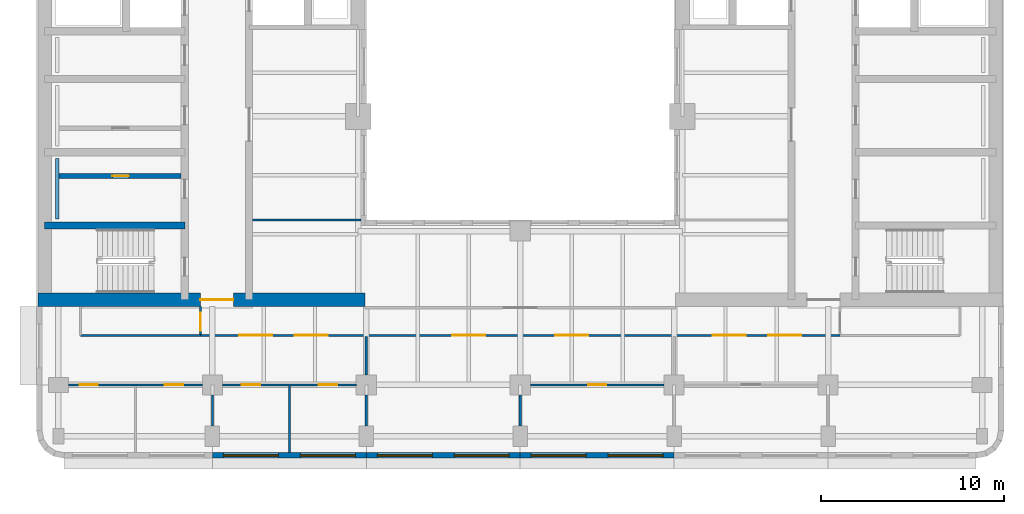
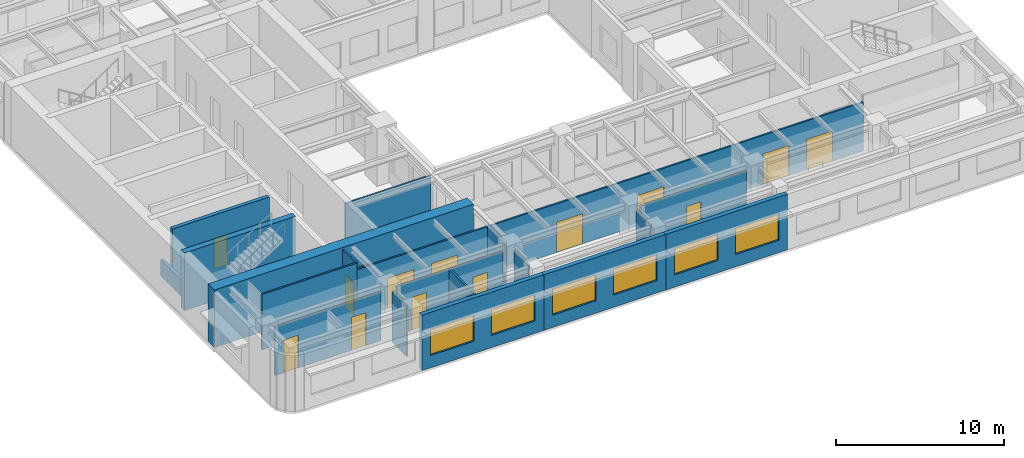
# One storey, part 3 of 11: 19 walls, 14 doors, 6 windows, 20 openings.
"""IFC4 building model written with IfcOpenShell, lengths in metres."""

from ifc_helpers import new_model, si_unit, direction, frame, frame_2d, origin, place, context, subcontext, project, spatial, rectangle, extrude, material, layer, layer_set, type_object, element, fill, save


model = new_model("IFC4")

# Units and contexts
model_context = context("Model", 3, precision=1e-05, world=origin(), true_north=direction((0.0, 1.0)))
body_context = subcontext(model_context, "Body", "Model", "MODEL_VIEW")
ifc_project = project(units=[si_unit("LENGTHUNIT", "METRE"), si_unit("AREAUNIT", "SQUARE_METRE"), si_unit("VOLUMEUNIT", "CUBIC_METRE"), si_unit("PLANEANGLEUNIT", "RADIAN"), si_unit("MASSUNIT", "GRAM", prefix="KILO")], contexts=[model_context])

# Site, building, storey
site_placement = place(None, origin())
site = spatial("IfcSite", under=ifc_project, at=site_placement, CompositionType="ELEMENT")
building_placement = place(site_placement, origin())
building = spatial("IfcBuilding", under=site, at=building_placement, Name="Claustro Exchange Tower", CompositionType="ELEMENT")
storey_placement = place(building_placement, frame((0.0, 0.0, 207.0)))
storey = spatial("IfcBuildingStorey", under=building, at=storey_placement, Name="L47", CompositionType="ELEMENT", Elevation=207.0)

# Wall
ifc_material_1 = material(Name="Laminated glass in aluminium frame", Category="aluminium")
ifc_layer_1 = layer(ifc_material_1, 0.1201171875)
ifc_layer_set_1 = layer_set([ifc_layer_1], Name="Laminated glass in aluminium frame")
wall_type_1 = type_object("IfcWallType", Name="P2 120 glazed partition", PredefinedType="PARTITIONING", material=ifc_layer_set_1)
wall_1_placement = place(storey_placement, frame((10.597900390625, 17.39990234375, 0.0), z_axis=(0.0, 0.0, 1.0), x_axis=(1.0, 0.0, 0.0)))
element("IfcWall", 1, at=wall_1_placement, inside=storey, type_object=wall_type_1, Name="Partition P2 L47", PredefinedType="PARTITIONING", context=body_context, shape_type="SweptSolid", body=[
    extrude(rectangle(XDim=5.904052734375, YDim=0.1201171875, at=frame_2d((2.9521484375, 0.0))), origin(), (0.0, 0.0, 1.0), 3.550048828125),
])

# Wall, openings, doors
wall_2_placement = place(storey_placement, frame((0.549072265625, 8.39990234375, 0.0), z_axis=(0.0, 0.0, 1.0), x_axis=(1.0, 0.0, 0.0)))
wall_2 = element("IfcWall", 2, at=wall_2_placement, inside=storey, type_object=wall_type_1, Name="Partition P2 L47", PredefinedType="PARTITIONING", context=body_context, shape_type="SweptSolid", body=[
    extrude(rectangle(XDim=7.302001953125, YDim=0.1201171875, at=frame_2d((3.65087890625, 0.0))), origin(), (0.0, 0.0, 1.0), 3.550048828125),
])
opening_1_placement = place(wall_2_placement, frame((0.60107421875, 0.0, 0.0)))
opening_1 = element("IfcOpeningElement", 3, at=opening_1_placement, cuts=wall_2, Name="Opening D7", PredefinedType="OPENING", context=body_context, shape_type="SweptSolid", body=[
    extrude(rectangle(XDim=1.0, YDim=2.39990234375, at=frame_2d((0.5, 1.199951171875))), frame((0.0, 0.070068359375, 0.0), z_axis=(0.0, -1.0, 0.0), x_axis=(1.0, 0.0, 0.0)), (0.0, 0.0, 1.0), 0.14013671875),
])
opening_2_placement = place(wall_2_placement, frame((5.2509765625, 0.0, 0.0)))
opening_2 = element("IfcOpeningElement", 4, at=opening_2_placement, cuts=wall_2, Name="Opening D7", PredefinedType="OPENING", context=body_context, shape_type="SweptSolid", body=[
    extrude(rectangle(XDim=1.0, YDim=2.39990234375, at=frame_2d((0.5, 1.199951171875))), frame((0.0, 0.070068359375, 0.0), z_axis=(0.0, -1.0, 0.0), x_axis=(1.0, 0.0, 0.0)), (0.0, 0.0, 1.0), 0.14013671875),
])
ifc_material_2 = material(Name="Glass door in aluminium frame", Category="aluminium")
door_type_1 = type_object("IfcDoorType", Name="D7 1000 x 2400 glazed door", OperationType="SINGLE_SWING_LEFT", PredefinedType="DOOR", material=ifc_material_2)
door_1_placement = place(opening_1_placement, frame((1.0, 0.0, 0.0), z_axis=(0.0, 0.0, 1.0), x_axis=(-1.0, 0.0, 0.0)))
door_1 = element("IfcDoor", 5, at=door_1_placement, inside=storey, type_object=door_type_1, Name="Door D7 L47", OperationType="SINGLE_SWING_LEFT", OverallHeight=2.39990234375, OverallWidth=1.0, PredefinedType="DOOR", context=body_context, shape_type="SweptSolid", body=[
    extrude(rectangle(XDim=1.0, YDim=2.39990234375, at=frame_2d((0.5, 1.199951171875))), frame((0.0, 0.02490234375, 0.0), z_axis=(0.0, -1.0, 0.0), x_axis=(1.0, 0.0, 0.0)), (0.0, 0.0, 1.0), 0.050048828125),
])
fill(opening_1, door_1)
door_2_placement = place(opening_2_placement, frame((1.0, 0.0, 0.0), z_axis=(0.0, 0.0, 1.0), x_axis=(-1.0, 0.0, 0.0)))
door_2 = element("IfcDoor", 6, at=door_2_placement, inside=storey, type_object=door_type_1, Name="Door D7 L47", OperationType="SINGLE_SWING_LEFT", OverallHeight=2.39990234375, OverallWidth=1.0, PredefinedType="DOOR", context=body_context, shape_type="SweptSolid", body=[
    extrude(rectangle(XDim=1.0, YDim=2.39990234375, at=frame_2d((0.5, 1.199951171875))), frame((0.0, 0.02490234375, 0.0), z_axis=(0.0, -1.0, 0.0), x_axis=(1.0, 0.0, 0.0)), (0.0, 0.0, 1.0), 0.050048828125),
])
fill(opening_2, door_2)

wall_3_placement = place(storey_placement, frame((8.948974609375, 8.39990234375, 0.0), z_axis=(0.0, 0.0, 1.0), x_axis=(1.0, 0.0, 0.0)))
wall_3 = element("IfcWall", 7, at=wall_3_placement, inside=storey, type_object=wall_type_1, Name="Partition P2 L47", PredefinedType="PARTITIONING", context=body_context, shape_type="SweptSolid", body=[
    extrude(rectangle(XDim=7.302001953125, YDim=0.1201171875, at=frame_2d((3.65087890625, 0.0))), origin(), (0.0, 0.0, 1.0), 3.550048828125),
])
opening_3_placement = place(wall_3_placement, frame((1.051025390625, 0.0, 0.0)))
opening_3 = element("IfcOpeningElement", 8, at=opening_3_placement, cuts=wall_3, Name="Opening D7", PredefinedType="OPENING", context=body_context, shape_type="SweptSolid", body=[
    extrude(rectangle(XDim=1.0, YDim=2.39990234375, at=frame_2d((0.5, 1.199951171875))), frame((0.0, 0.070068359375, 0.0), z_axis=(0.0, -1.0, 0.0), x_axis=(1.0, 0.0, 0.0)), (0.0, 0.0, 1.0), 0.14013671875),
])
opening_4_placement = place(wall_3_placement, frame((5.2509765625, 0.0, 0.0)))
opening_4 = element("IfcOpeningElement", 9, at=opening_4_placement, cuts=wall_3, Name="Opening D7", PredefinedType="OPENING", context=body_context, shape_type="SweptSolid", body=[
    extrude(rectangle(XDim=1.0, YDim=2.39990234375, at=frame_2d((0.5, 1.199951171875))), frame((0.0, 0.070068359375, 0.0), z_axis=(0.0, -1.0, 0.0), x_axis=(1.0, 0.0, 0.0)), (0.0, 0.0, 1.0), 0.14013671875),
])
door_3_placement = place(opening_3_placement, frame((1.0, 0.0, 0.0), z_axis=(0.0, 0.0, 1.0), x_axis=(-1.0, 0.0, 0.0)))
door_3 = element("IfcDoor", 10, at=door_3_placement, inside=storey, type_object=door_type_1, Name="Door D7 L47", OperationType="SINGLE_SWING_RIGHT", OverallHeight=2.39990234375, OverallWidth=1.0, PredefinedType="DOOR", context=body_context, shape_type="SweptSolid", body=[
    extrude(rectangle(XDim=1.0, YDim=2.39990234375, at=frame_2d((0.5, 1.199951171875))), frame((0.0, 0.02490234375, 0.0), z_axis=(0.0, -1.0, 0.0), x_axis=(1.0, 0.0, 0.0)), (0.0, 0.0, 1.0), 0.050048828125),
])
fill(opening_3, door_3)
door_4_placement = place(opening_4_placement, frame((1.0, 0.0, 0.0), z_axis=(0.0, 0.0, 1.0), x_axis=(-1.0, 0.0, 0.0)))
door_4 = element("IfcDoor", 11, at=door_4_placement, inside=storey, type_object=door_type_1, Name="Door D7 L47", OperationType="SINGLE_SWING_RIGHT", OverallHeight=2.39990234375, OverallWidth=1.0, PredefinedType="DOOR", context=body_context, shape_type="SweptSolid", body=[
    extrude(rectangle(XDim=1.0, YDim=2.39990234375, at=frame_2d((0.5, 1.199951171875))), frame((0.0, 0.02490234375, 0.0), z_axis=(0.0, -1.0, 0.0), x_axis=(1.0, 0.0, 0.0)), (0.0, 0.0, 1.0), 0.050048828125),
])
fill(opening_4, door_4)

# Walls
wall_4_placement = place(storey_placement, frame((8.39990234375, 6.14892578125, 0.0), z_axis=(0.0, 0.0, 1.0), x_axis=(0.0, 1.0, 0.0)))
element("IfcWall", 12, at=wall_4_placement, inside=storey, type_object=wall_type_1, Name="Partition P2 L47", PredefinedType="PARTITIONING", context=body_context, shape_type="SweptSolid", body=[
    extrude(rectangle(XDim=1.7021484375, YDim=0.1201171875, at=frame_2d((0.85107421875, 0.0))), origin(), (0.0, 0.0, 1.0), 3.68994140625),
])
wall_5_placement = place(storey_placement, frame((12.60009765625, 4.699951171875, 0.0), z_axis=(0.0, 0.0, 1.0), x_axis=(0.0, 1.0, 0.0)))
element("IfcWall", 13, at=wall_5_placement, inside=storey, type_object=wall_type_1, Name="Partition P2 L47", PredefinedType="PARTITIONING", context=body_context, shape_type="SweptSolid", body=[
    extrude(rectangle(XDim=3.64208984375, YDim=0.1201171875, at=frame_2d((1.821044921875, 0.0))), origin(), (0.0, 0.0, 1.0), 3.550048828125),
])
wall_6_placement = place(storey_placement, frame((16.800048828125, 6.14892578125, 0.0), z_axis=(0.0, 0.0, 1.0), x_axis=(0.0, 1.0, 0.0)))
element("IfcWall", 14, at=wall_6_placement, inside=storey, type_object=wall_type_1, Name="Partition P2 L47", PredefinedType="PARTITIONING", context=body_context, shape_type="SweptSolid", body=[
    extrude(rectangle(XDim=1.7021484375, YDim=0.1201171875, at=frame_2d((0.85107421875, 0.0))), origin(), (0.0, 0.0, 1.0), 3.68994140625),
])

# Wall, opening, door
wall_7_placement = place(storey_placement, frame((25.7490234375, 8.39990234375, 0.0), z_axis=(0.0, 0.0, 1.0), x_axis=(1.0, 0.0, 0.0)))
wall_7 = element("IfcWall", 15, at=wall_7_placement, inside=storey, type_object=wall_type_1, Name="Partition P2 L47", PredefinedType="PARTITIONING", context=body_context, shape_type="SweptSolid", body=[
    extrude(rectangle(XDim=7.302001953125, YDim=0.1201171875, at=frame_2d((3.65087890625, 0.0))), origin(), (0.0, 0.0, 1.0), 3.550048828125),
])
opening_5_placement = place(wall_7_placement, frame((3.15087890625, 0.0, 0.0)))
opening_5 = element("IfcOpeningElement", 16, at=opening_5_placement, cuts=wall_7, Name="Opening D7", PredefinedType="OPENING", context=body_context, shape_type="SweptSolid", body=[
    extrude(rectangle(XDim=1.0, YDim=2.39990234375, at=frame_2d((0.5, 1.199951171875))), frame((0.0, 0.070068359375, 0.0), z_axis=(0.0, -1.0, 0.0), x_axis=(1.0, 0.0, 0.0)), (0.0, 0.0, 1.0), 0.14013671875),
])
door_5_placement = place(opening_5_placement, frame((1.0, 0.0, 0.0), z_axis=(0.0, 0.0, 1.0), x_axis=(-1.0, 0.0, 0.0)))
door_5 = element("IfcDoor", 17, at=door_5_placement, inside=storey, type_object=door_type_1, Name="Door D7 L47", OperationType="SINGLE_SWING_RIGHT", OverallHeight=2.39990234375, OverallWidth=1.0, PredefinedType="DOOR", context=body_context, shape_type="SweptSolid", body=[
    extrude(rectangle(XDim=1.0, YDim=2.39990234375, at=frame_2d((0.5, 1.199951171875))), frame((0.0, 0.02490234375, 0.0), z_axis=(0.0, -1.0, 0.0), x_axis=(1.0, 0.0, 0.0)), (0.0, 0.0, 1.0), 0.050048828125),
])
fill(opening_5, door_5)

# Walls
wall_8_placement = place(storey_placement, frame((25.199951171875, 6.14892578125, 0.0), z_axis=(0.0, 0.0, 1.0), x_axis=(0.0, 1.0, 0.0)))
element("IfcWall", 18, at=wall_8_placement, inside=storey, type_object=wall_type_1, Name="Partition P2 L47", PredefinedType="PARTITIONING", context=body_context, shape_type="SweptSolid", body=[
    extrude(rectangle(XDim=1.7021484375, YDim=0.1201171875, at=frame_2d((0.85107421875, 0.0))), origin(), (0.0, 0.0, 1.0), 3.68994140625),
])
wall_9_placement = place(storey_placement, frame((16.800048828125, 8.948974609375, 0.0), z_axis=(0.0, 0.0, 1.0), x_axis=(0.0, 1.0, 0.0)))
element("IfcWall", 19, at=wall_9_placement, inside=storey, type_object=wall_type_1, Name="Partition P2 L47", PredefinedType="PARTITIONING", context=body_context, shape_type="SweptSolid", body=[
    extrude(rectangle(XDim=2.093017578125, YDim=0.1201171875, at=frame_2d((1.04638671875, 0.0))), origin(), (0.0, 0.0, 1.0), 3.68994140625),
])

# Wall, openings, doors
wall_10_placement = place(storey_placement, frame((7.748046875, 11.10009765625, 0.0), z_axis=(0.0, 0.0, 1.0), x_axis=(1.0, 0.0, 0.0)))
wall_10 = element("IfcWall", 20, at=wall_10_placement, inside=storey, type_object=wall_type_1, Name="Partition P2 L47", PredefinedType="PARTITIONING", context=body_context, shape_type="SweptSolid", body=[
    extrude(rectangle(XDim=34.904052734375, YDim=0.1201171875, at=frame_2d((17.4521484375, 0.0))), origin(), (0.0, 0.0, 1.0), 3.550048828125),
])
opening_6_placement = place(wall_10_placement, frame((2.11865234375, 0.0, 0.0)))
opening_6 = element("IfcOpeningElement", 21, at=opening_6_placement, cuts=wall_10, Name="Opening D2", PredefinedType="OPENING", context=body_context, shape_type="SweptSolid", body=[
    extrude(rectangle(XDim=1.800048828125, YDim=2.199951171875, at=frame_2d((0.89990234375, 1.10009765625))), frame((0.0, 0.070068359375, 0.0), z_axis=(0.0, -1.0, 0.0), x_axis=(1.0, 0.0, 0.0)), (0.0, 0.0, 1.0), 0.14013671875),
])
opening_7_placement = place(wall_10_placement, frame((5.13525390625, 0.0, 0.0)))
opening_7 = element("IfcOpeningElement", 22, at=opening_7_placement, cuts=wall_10, Name="Opening D2", PredefinedType="OPENING", context=body_context, shape_type="SweptSolid", body=[
    extrude(rectangle(XDim=1.800048828125, YDim=2.199951171875, at=frame_2d((0.89990234375, 1.10009765625))), frame((0.0, 0.070068359375, 0.0), z_axis=(0.0, -1.0, 0.0), x_axis=(1.0, 0.0, 0.0)), (0.0, 0.0, 1.0), 0.14013671875),
])
opening_8_placement = place(wall_10_placement, frame((13.751953125, 0.0, 0.0)))
opening_8 = element("IfcOpeningElement", 23, at=opening_8_placement, cuts=wall_10, Name="Opening D2", PredefinedType="OPENING", context=body_context, shape_type="SweptSolid", body=[
    extrude(rectangle(XDim=1.800048828125, YDim=2.199951171875, at=frame_2d((0.89990234375, 1.10009765625))), frame((0.0, 0.070068359375, 0.0), z_axis=(0.0, -1.0, 0.0), x_axis=(1.0, 0.0, 0.0)), (0.0, 0.0, 1.0), 0.14013671875),
])
opening_9_placement = place(wall_10_placement, frame((19.35205078125, 0.0, 0.0)))
opening_9 = element("IfcOpeningElement", 24, at=opening_9_placement, cuts=wall_10, Name="Opening D2", PredefinedType="OPENING", context=body_context, shape_type="SweptSolid", body=[
    extrude(rectangle(XDim=1.800048828125, YDim=2.199951171875, at=frame_2d((0.89990234375, 1.10009765625))), frame((0.0, 0.070068359375, 0.0), z_axis=(0.0, -1.0, 0.0), x_axis=(1.0, 0.0, 0.0)), (0.0, 0.0, 1.0), 0.14013671875),
])
opening_10_placement = place(wall_10_placement, frame((27.96875, 0.0, 0.0)))
opening_10 = element("IfcOpeningElement", 25, at=opening_10_placement, cuts=wall_10, Name="Opening D2", PredefinedType="OPENING", context=body_context, shape_type="SweptSolid", body=[
    extrude(rectangle(XDim=1.800048828125, YDim=2.199951171875, at=frame_2d((0.89990234375, 1.10009765625))), frame((0.0, 0.070068359375, 0.0), z_axis=(0.0, -1.0, 0.0), x_axis=(1.0, 0.0, 0.0)), (0.0, 0.0, 1.0), 0.14013671875),
])
opening_11_placement = place(wall_10_placement, frame((30.9853515625, 0.0, 0.0)))
opening_11 = element("IfcOpeningElement", 26, at=opening_11_placement, cuts=wall_10, Name="Opening D2", PredefinedType="OPENING", context=body_context, shape_type="SweptSolid", body=[
    extrude(rectangle(XDim=1.800048828125, YDim=2.199951171875, at=frame_2d((0.89990234375, 1.10009765625))), frame((0.0, 0.070068359375, 0.0), z_axis=(0.0, -1.0, 0.0), x_axis=(1.0, 0.0, 0.0)), (0.0, 0.0, 1.0), 0.14013671875),
])
ifc_material_3 = material(Name="Timber door, oak veneer", Category="wood")
door_type_2 = type_object("IfcDoorType", Name="D2 1800 x 2200 double door", OperationType="DOUBLE_DOOR_SINGLE_SWING", PredefinedType="DOOR", material=ifc_material_3)
door_6_placement = place(opening_6_placement, frame((1.800048828125, 0.0, 0.0), z_axis=(0.0, 0.0, 1.0), x_axis=(-1.0, 0.0, 0.0)))
door_6 = element("IfcDoor", 27, at=door_6_placement, inside=storey, type_object=door_type_2, Name="Double door D2 L47", OperationType="DOUBLE_DOOR_SINGLE_SWING", OverallHeight=2.199951171875, OverallWidth=1.800048828125, PredefinedType="DOOR", context=body_context, shape_type="SweptSolid", body=[
    extrude(rectangle(XDim=1.800048828125, YDim=2.199951171875, at=frame_2d((0.89990234375, 1.10009765625))), frame((0.0, 0.02490234375, 0.0), z_axis=(0.0, -1.0, 0.0), x_axis=(1.0, 0.0, 0.0)), (0.0, 0.0, 1.0), 0.050048828125),
])
fill(opening_6, door_6)
door_7_placement = place(opening_7_placement, frame((1.800048828125, 0.0, 0.0), z_axis=(0.0, 0.0, 1.0), x_axis=(-1.0, 0.0, 0.0)))
door_7 = element("IfcDoor", 28, at=door_7_placement, inside=storey, type_object=door_type_2, Name="Double door D2 L47", OperationType="DOUBLE_DOOR_SINGLE_SWING", OverallHeight=2.199951171875, OverallWidth=1.800048828125, PredefinedType="DOOR", context=body_context, shape_type="SweptSolid", body=[
    extrude(rectangle(XDim=1.800048828125, YDim=2.199951171875, at=frame_2d((0.89990234375, 1.10009765625))), frame((0.0, 0.02490234375, 0.0), z_axis=(0.0, -1.0, 0.0), x_axis=(1.0, 0.0, 0.0)), (0.0, 0.0, 1.0), 0.050048828125),
])
fill(opening_7, door_7)
door_8_placement = place(opening_8_placement, frame((1.800048828125, 0.0, 0.0), z_axis=(0.0, 0.0, 1.0), x_axis=(-1.0, 0.0, 0.0)))
door_8 = element("IfcDoor", 29, at=door_8_placement, inside=storey, type_object=door_type_2, Name="Double door D2 L47", OperationType="DOUBLE_DOOR_SINGLE_SWING", OverallHeight=2.199951171875, OverallWidth=1.800048828125, PredefinedType="DOOR", context=body_context, shape_type="SweptSolid", body=[
    extrude(rectangle(XDim=1.800048828125, YDim=2.199951171875, at=frame_2d((0.89990234375, 1.10009765625))), frame((0.0, 0.02490234375, 0.0), z_axis=(0.0, -1.0, 0.0), x_axis=(1.0, 0.0, 0.0)), (0.0, 0.0, 1.0), 0.050048828125),
])
fill(opening_8, door_8)
door_9_placement = place(opening_9_placement, frame((1.800048828125, 0.0, 0.0), z_axis=(0.0, 0.0, 1.0), x_axis=(-1.0, 0.0, 0.0)))
door_9 = element("IfcDoor", 30, at=door_9_placement, inside=storey, type_object=door_type_2, Name="Double door D2 L47", OperationType="DOUBLE_DOOR_SINGLE_SWING", OverallHeight=2.199951171875, OverallWidth=1.800048828125, PredefinedType="DOOR", context=body_context, shape_type="SweptSolid", body=[
    extrude(rectangle(XDim=1.800048828125, YDim=2.199951171875, at=frame_2d((0.89990234375, 1.10009765625))), frame((0.0, 0.02490234375, 0.0), z_axis=(0.0, -1.0, 0.0), x_axis=(1.0, 0.0, 0.0)), (0.0, 0.0, 1.0), 0.050048828125),
])
fill(opening_9, door_9)
door_10_placement = place(opening_10_placement, frame((1.800048828125, 0.0, 0.0), z_axis=(0.0, 0.0, 1.0), x_axis=(-1.0, 0.0, 0.0)))
door_10 = element("IfcDoor", 31, at=door_10_placement, inside=storey, type_object=door_type_2, Name="Double door D2 L47", OperationType="DOUBLE_DOOR_SINGLE_SWING", OverallHeight=2.199951171875, OverallWidth=1.800048828125, PredefinedType="DOOR", context=body_context, shape_type="SweptSolid", body=[
    extrude(rectangle(XDim=1.800048828125, YDim=2.199951171875, at=frame_2d((0.89990234375, 1.10009765625))), frame((0.0, 0.02490234375, 0.0), z_axis=(0.0, -1.0, 0.0), x_axis=(1.0, 0.0, 0.0)), (0.0, 0.0, 1.0), 0.050048828125),
])
fill(opening_10, door_10)
door_11_placement = place(opening_11_placement, frame((1.800048828125, 0.0, 0.0), z_axis=(0.0, 0.0, 1.0), x_axis=(-1.0, 0.0, 0.0)))
door_11 = element("IfcDoor", 32, at=door_11_placement, inside=storey, type_object=door_type_2, Name="Double door D2 L47", OperationType="DOUBLE_DOOR_SINGLE_SWING", OverallHeight=2.199951171875, OverallWidth=1.800048828125, PredefinedType="DOOR", context=body_context, shape_type="SweptSolid", body=[
    extrude(rectangle(XDim=1.800048828125, YDim=2.199951171875, at=frame_2d((0.89990234375, 1.10009765625))), frame((0.0, 0.02490234375, 0.0), z_axis=(0.0, -1.0, 0.0), x_axis=(1.0, 0.0, 0.0)), (0.0, 0.0, 1.0), 0.050048828125),
])
fill(opening_11, door_11)

# Wall, opening, door
wall_11_placement = place(storey_placement, frame((7.75, 11.157958984375, 0.0), z_axis=(0.0, 0.0, 1.0), x_axis=(0.0, 1.0, 0.0)))
wall_11 = element("IfcWall", 33, at=wall_11_placement, inside=storey, type_object=wall_type_1, Name="Partition P2 L47", PredefinedType="PARTITIONING", context=body_context, shape_type="SweptSolid", body=[
    extrude(rectangle(XDim=1.51806640625, YDim=0.1201171875, at=frame_2d((0.759033203125, 0.0))), origin(), (0.0, 0.0, 1.0), 4.050048828125),
])
opening_12_placement = place(wall_11_placement, frame((0.19189453125, 0.0, 0.0)))
opening_12 = element("IfcOpeningElement", 34, at=opening_12_placement, cuts=wall_11, Name="Opening D7", PredefinedType="OPENING", context=body_context, shape_type="SweptSolid", body=[
    extrude(rectangle(XDim=1.0, YDim=2.39990234375, at=frame_2d((0.5, 1.199951171875))), frame((0.0, 0.070068359375, 0.0), z_axis=(0.0, -1.0, 0.0), x_axis=(1.0, 0.0, 0.0)), (0.0, 0.0, 1.0), 0.14013671875),
])
door_12_placement = place(opening_12_placement, origin())
door_12 = element("IfcDoor", 35, at=door_12_placement, inside=storey, type_object=door_type_1, Name="Door D7 L47", OperationType="SINGLE_SWING_LEFT", OverallHeight=2.39990234375, OverallWidth=1.0, PredefinedType="DOOR", context=body_context, shape_type="SweptSolid", body=[
    extrude(rectangle(XDim=1.0, YDim=2.39990234375, at=frame_2d((0.5, 1.199951171875))), frame((0.0, 0.02490234375, 0.0), z_axis=(0.0, -1.0, 0.0), x_axis=(1.0, 0.0, 0.0)), (0.0, 0.0, 1.0), 0.050048828125),
])
fill(opening_12, door_12)

# Wall
wall_12_placement = place(storey_placement, frame((1.199951171875, 11.10009765625, 0.0), z_axis=(0.0, 0.0, 1.0), x_axis=(1.0, 0.0, 0.0)))
element("IfcWall", 36, at=wall_12_placement, inside=storey, type_object=wall_type_1, Name="Partition P2 L47", PredefinedType="PARTITIONING", context=body_context, shape_type="SweptSolid", body=[
    extrude(rectangle(XDim=6.552001953125, YDim=0.1201171875, at=frame_2d((3.27587890625, 0.0))), origin(), (0.0, 0.0, 1.0), 4.050048828125),
])

# Wall, opening, door
ifc_material_4 = material(Name="Concrete blockwork, rendered", Category="masonry")
ifc_layer_2 = layer(ifc_material_4, 0.25)
ifc_layer_set_2 = layer_set([ifc_layer_2], Name="Concrete blockwork, rendered")
wall_type_2 = type_object("IfcWallType", Name="P4 250 blockwork wall", PredefinedType="PARTITIONING", material=ifc_layer_set_2)
wall_13_placement = place(storey_placement, frame((0.02490234375, 19.800048828125, 0.0), z_axis=(0.0, 0.0, 1.0), x_axis=(1.0, 0.0, 0.0)))
wall_13 = element("IfcWall", 37, at=wall_13_placement, inside=storey, type_object=wall_type_2, Name="Partition P4 L47", PredefinedType="PARTITIONING", context=body_context, shape_type="SweptSolid", body=[
    extrude(rectangle(XDim=6.675048828125, YDim=0.25, at=frame_2d((3.33740234375, 0.0))), origin(), (0.0, 0.0, 1.0), 4.0),
])
opening_13_placement = place(wall_13_placement, frame((2.91259765625, 0.0, 0.0)))
opening_13 = element("IfcOpeningElement", 38, at=opening_13_placement, cuts=wall_13, Name="Opening D5", PredefinedType="OPENING", context=body_context, shape_type="SweptSolid", body=[
    extrude(rectangle(XDim=0.89990234375, YDim=2.199951171875, at=frame_2d((0.449951171875, 1.10009765625))), frame((0.0, 0.135009765625, 0.0), z_axis=(0.0, -1.0, 0.0), x_axis=(1.0, 0.0, 0.0)), (0.0, 0.0, 1.0), 0.27001953125),
])
ifc_material_5 = material(Name="Steel door, painted", Category="steel")
door_type_3 = type_object("IfcDoorType", Name="D5 900 x 2200 store door", OperationType="SINGLE_SWING_LEFT", PredefinedType="DOOR", material=ifc_material_5)
door_13_placement = place(opening_13_placement, origin())
door_13 = element("IfcDoor", 39, at=door_13_placement, inside=storey, type_object=door_type_3, Name="Store door D5 L47", OperationType="SINGLE_SWING_RIGHT", OverallHeight=2.199951171875, OverallWidth=0.89990234375, PredefinedType="DOOR", context=body_context, shape_type="SweptSolid", body=[
    extrude(rectangle(XDim=0.89990234375, YDim=2.199951171875, at=frame_2d((0.449951171875, 1.10009765625))), frame((0.0, 0.02490234375, 0.0), z_axis=(0.0, -1.0, 0.0), x_axis=(1.0, 0.0, 0.0)), (0.0, 0.0, 1.0), 0.050048828125),
])
fill(opening_13, door_13)

# Wall, openings, windows
ifc_material_6 = material(Name="Concrete HA-40 (C40/50), precast, white cement, acid-etched", Category="concrete")
ifc_layer_3 = layer(ifc_material_6, 0.300048828125)
ifc_layer_set_3 = layer_set([ifc_layer_3], Name="Concrete HA-40 (C40/50), precast, white cement, acid-etched")
wall_type_3 = type_object("IfcWallType", Name="PC1 300 precast concrete pier panel", PredefinedType="SOLIDWALL", material=ifc_layer_set_3)
wall_14_placement = place(storey_placement, frame((33.60009765625, 4.550048828125, 0.0), z_axis=(0.0, 0.0, 1.0), x_axis=(-1.0, 0.0, 0.0)))
wall_14 = element("IfcWall", 40, at=wall_14_placement, inside=storey, type_object=wall_type_3, Name="Precast pier panel PC1 L47", PredefinedType="SOLIDWALL", context=body_context, shape_type="SweptSolid", body=[
    extrude(rectangle(XDim=8.400146484375, YDim=0.300048828125, at=frame_2d((4.2001953125, 0.0))), origin(), (0.0, 0.0, 1.0), 4.050048828125),
])
opening_14_placement = place(wall_14_placement, frame((0.60009765625, 0.0, 0.89990234375)))
opening_14 = element("IfcOpeningElement", 41, at=opening_14_placement, cuts=wall_14, Name="Opening W1", PredefinedType="OPENING", context=body_context, shape_type="SweptSolid", body=[
    extrude(rectangle(XDim=3.0, YDim=1.89990234375, at=frame_2d((1.5, 0.949951171875))), frame((0.0, 0.159912109375, 0.0), z_axis=(0.0, -1.0, 0.0), x_axis=(1.0, 0.0, 0.0)), (0.0, 0.0, 1.0), 0.320068359375),
])
opening_15_placement = place(wall_14_placement, frame((4.800048828125, 0.0, 0.89990234375)))
opening_15 = element("IfcOpeningElement", 42, at=opening_15_placement, cuts=wall_14, Name="Opening W1", PredefinedType="OPENING", context=body_context, shape_type="SweptSolid", body=[
    extrude(rectangle(XDim=3.0, YDim=1.89990234375, at=frame_2d((1.5, 0.949951171875))), frame((0.0, 0.159912109375, 0.0), z_axis=(0.0, -1.0, 0.0), x_axis=(1.0, 0.0, 0.0)), (0.0, 0.0, 1.0), 0.320068359375),
])
ifc_material_7 = material(Name="Aluminium frame, clear double glazing", Category="aluminium")
window_type = type_object("IfcWindowType", Name="W1 3000 x 1900 window", PartitioningType="SINGLE_PANEL", PredefinedType="WINDOW", material=ifc_material_7)
window_1_placement = place(opening_14_placement, origin())
window_1 = element("IfcWindow", 43, at=window_1_placement, inside=storey, type_object=window_type, Name="Window W1 L47", OverallHeight=1.89990234375, OverallWidth=3.0, PartitioningType="SINGLE_PANEL", PredefinedType="WINDOW", context=body_context, shape_type="SweptSolid", body=[
    extrude(rectangle(XDim=3.0, YDim=1.89990234375, at=frame_2d((1.5, 0.949951171875))), frame((0.0, 0.030029296875, 0.0), z_axis=(0.0, -1.0, 0.0), x_axis=(1.0, 0.0, 0.0)), (0.0, 0.0, 1.0), 0.06005859375),
])
fill(opening_14, window_1)
window_2_placement = place(opening_15_placement, origin())
window_2 = element("IfcWindow", 44, at=window_2_placement, inside=storey, type_object=window_type, Name="Window W1 L47", OverallHeight=1.89990234375, OverallWidth=3.0, PartitioningType="SINGLE_PANEL", PredefinedType="WINDOW", context=body_context, shape_type="SweptSolid", body=[
    extrude(rectangle(XDim=3.0, YDim=1.89990234375, at=frame_2d((1.5, 0.949951171875))), frame((0.0, 0.030029296875, 0.0), z_axis=(0.0, -1.0, 0.0), x_axis=(1.0, 0.0, 0.0)), (0.0, 0.0, 1.0), 0.06005859375),
])
fill(opening_15, window_2)

wall_15_placement = place(storey_placement, frame((25.199951171875, 4.550048828125, 0.0), z_axis=(0.0, 0.0, 1.0), x_axis=(-1.0, 0.0, 0.0)))
wall_15 = element("IfcWall", 45, at=wall_15_placement, inside=storey, type_object=wall_type_3, Name="Precast pier panel PC1 L47", PredefinedType="SOLIDWALL", context=body_context, shape_type="SweptSolid", body=[
    extrude(rectangle(XDim=8.39990234375, YDim=0.300048828125, at=frame_2d((4.199951171875, 0.0))), origin(), (0.0, 0.0, 1.0), 4.050048828125),
])
opening_16_placement = place(wall_15_placement, frame((0.60009765625, 0.0, 0.89990234375)))
opening_16 = element("IfcOpeningElement", 46, at=opening_16_placement, cuts=wall_15, Name="Opening W1", PredefinedType="OPENING", context=body_context, shape_type="SweptSolid", body=[
    extrude(rectangle(XDim=3.0, YDim=1.89990234375, at=frame_2d((1.5, 0.949951171875))), frame((0.0, 0.159912109375, 0.0), z_axis=(0.0, -1.0, 0.0), x_axis=(1.0, 0.0, 0.0)), (0.0, 0.0, 1.0), 0.320068359375),
])
opening_17_placement = place(wall_15_placement, frame((4.800048828125, 0.0, 0.89990234375)))
opening_17 = element("IfcOpeningElement", 47, at=opening_17_placement, cuts=wall_15, Name="Opening W1", PredefinedType="OPENING", context=body_context, shape_type="SweptSolid", body=[
    extrude(rectangle(XDim=3.0, YDim=1.89990234375, at=frame_2d((1.5, 0.949951171875))), frame((0.0, 0.159912109375, 0.0), z_axis=(0.0, -1.0, 0.0), x_axis=(1.0, 0.0, 0.0)), (0.0, 0.0, 1.0), 0.320068359375),
])
window_3_placement = place(opening_16_placement, origin())
window_3 = element("IfcWindow", 48, at=window_3_placement, inside=storey, type_object=window_type, Name="Window W1 L47", OverallHeight=1.89990234375, OverallWidth=3.0, PartitioningType="SINGLE_PANEL", PredefinedType="WINDOW", context=body_context, shape_type="SweptSolid", body=[
    extrude(rectangle(XDim=3.0, YDim=1.89990234375, at=frame_2d((1.5, 0.949951171875))), frame((0.0, 0.030029296875, 0.0), z_axis=(0.0, -1.0, 0.0), x_axis=(1.0, 0.0, 0.0)), (0.0, 0.0, 1.0), 0.06005859375),
])
fill(opening_16, window_3)
window_4_placement = place(opening_17_placement, origin())
window_4 = element("IfcWindow", 49, at=window_4_placement, inside=storey, type_object=window_type, Name="Window W1 L47", OverallHeight=1.89990234375, OverallWidth=3.0, PartitioningType="SINGLE_PANEL", PredefinedType="WINDOW", context=body_context, shape_type="SweptSolid", body=[
    extrude(rectangle(XDim=3.0, YDim=1.89990234375, at=frame_2d((1.5, 0.949951171875))), frame((0.0, 0.030029296875, 0.0), z_axis=(0.0, -1.0, 0.0), x_axis=(1.0, 0.0, 0.0)), (0.0, 0.0, 1.0), 0.06005859375),
])
fill(opening_17, window_4)

wall_16_placement = place(storey_placement, frame((16.800048828125, 4.550048828125, 0.0), z_axis=(0.0, 0.0, 1.0), x_axis=(-1.0, 0.0, 0.0)))
wall_16 = element("IfcWall", 50, at=wall_16_placement, inside=storey, type_object=wall_type_3, Name="Precast pier panel PC1 L47", PredefinedType="SOLIDWALL", context=body_context, shape_type="SweptSolid", body=[
    extrude(rectangle(XDim=8.400146484375, YDim=0.300048828125, at=frame_2d((4.2001953125, 0.0))), origin(), (0.0, 0.0, 1.0), 4.050048828125),
])
opening_18_placement = place(wall_16_placement, frame((0.60009765625, 0.0, 0.89990234375)))
opening_18 = element("IfcOpeningElement", 51, at=opening_18_placement, cuts=wall_16, Name="Opening W1", PredefinedType="OPENING", context=body_context, shape_type="SweptSolid", body=[
    extrude(rectangle(XDim=3.0, YDim=1.89990234375, at=frame_2d((1.5, 0.949951171875))), frame((0.0, 0.159912109375, 0.0), z_axis=(0.0, -1.0, 0.0), x_axis=(1.0, 0.0, 0.0)), (0.0, 0.0, 1.0), 0.320068359375),
])
opening_19_placement = place(wall_16_placement, frame((4.800048828125, 0.0, 0.89990234375)))
opening_19 = element("IfcOpeningElement", 52, at=opening_19_placement, cuts=wall_16, Name="Opening W1", PredefinedType="OPENING", context=body_context, shape_type="SweptSolid", body=[
    extrude(rectangle(XDim=3.0, YDim=1.89990234375, at=frame_2d((1.5, 0.949951171875))), frame((0.0, 0.159912109375, 0.0), z_axis=(0.0, -1.0, 0.0), x_axis=(1.0, 0.0, 0.0)), (0.0, 0.0, 1.0), 0.320068359375),
])
window_5_placement = place(opening_18_placement, origin())
window_5 = element("IfcWindow", 53, at=window_5_placement, inside=storey, type_object=window_type, Name="Window W1 L47", OverallHeight=1.89990234375, OverallWidth=3.0, PartitioningType="SINGLE_PANEL", PredefinedType="WINDOW", context=body_context, shape_type="SweptSolid", body=[
    extrude(rectangle(XDim=3.0, YDim=1.89990234375, at=frame_2d((1.5, 0.949951171875))), frame((0.0, 0.030029296875, 0.0), z_axis=(0.0, -1.0, 0.0), x_axis=(1.0, 0.0, 0.0)), (0.0, 0.0, 1.0), 0.06005859375),
])
fill(opening_18, window_5)
window_6_placement = place(opening_19_placement, origin())
window_6 = element("IfcWindow", 54, at=window_6_placement, inside=storey, type_object=window_type, Name="Window W1 L47", OverallHeight=1.89990234375, OverallWidth=3.0, PartitioningType="SINGLE_PANEL", PredefinedType="WINDOW", context=body_context, shape_type="SweptSolid", body=[
    extrude(rectangle(XDim=3.0, YDim=1.89990234375, at=frame_2d((1.5, 0.949951171875))), frame((0.0, 0.030029296875, 0.0), z_axis=(0.0, -1.0, 0.0), x_axis=(1.0, 0.0, 0.0)), (0.0, 0.0, 1.0), 0.06005859375),
])
fill(opening_19, window_6)

# Wall
ifc_material_8 = material(Name="Gypsum board on steel studs, tiled", Category="steel")
ifc_layer_4 = layer(ifc_material_8, 0.199951171875)
ifc_layer_set_4 = layer_set([ifc_layer_4], Name="Gypsum board on steel studs, tiled")
wall_type_4 = type_object("IfcWallType", Name="PW1 200 WC duct wall", PredefinedType="PLUMBINGWALL", material=ifc_layer_set_4)
wall_17_placement = place(storey_placement, frame((-0.074951171875, 17.449951171875, 0.0), z_axis=(0.0, 0.0, 1.0), x_axis=(0.0, 1.0, 0.0)))
element("IfcWall", 55, at=wall_17_placement, inside=storey, type_object=wall_type_4, Name="WC duct wall PW1 L47", PredefinedType="PLUMBINGWALL", context=body_context, shape_type="SweptSolid", body=[
    extrude(rectangle(XDim=3.300048828125, YDim=0.199951171875, at=frame_2d((1.64990234375, 0.0))), origin(), (0.0, 0.0, 1.0), 1.199951171875),
])

# Wall, opening, door
ifc_material_9 = material(Name="Concrete HA-70 (C70/85)", Category="concrete")
ifc_layer_5 = layer(ifc_material_9, 0.75)
ifc_layer_set_5 = layer_set([ifc_layer_5], Name="Concrete HA-70 (C70/85)")
wall_type_5 = type_object("IfcWallType", Name="SW2 750 core shear wall", PredefinedType="SHEAR", material=ifc_layer_set_5)
wall_18_placement = place(storey_placement, frame((-1.125, 13.050048828125, 0.0), z_axis=(0.0, 0.0, 1.0), x_axis=(1.0, 0.0, 0.0)))
wall_18 = element("IfcWall", 56, at=wall_18_placement, inside=storey, type_object=wall_type_5, Name="Core wall SW2 W core S face L47", PredefinedType="SHEAR", context=body_context, shape_type="SweptSolid", body=[
    extrude(rectangle(XDim=17.85009765625, YDim=0.75, at=frame_2d((8.925048828125, 0.0))), origin(), (0.0, 0.0, 1.0), 4.199951171875),
])
opening_20_placement = place(wall_18_placement, frame((8.875, 0.0, 0.0)))
opening_20 = element("IfcOpeningElement", 57, at=opening_20_placement, cuts=wall_18, Name="Opening D3", PredefinedType="OPENING", context=body_context, shape_type="SweptSolid", body=[
    extrude(rectangle(XDim=1.800048828125, YDim=2.39990234375, at=frame_2d((0.89990234375, 1.199951171875))), frame((0.0, 0.385009765625, 0.0), z_axis=(0.0, -1.0, 0.0), x_axis=(1.0, 0.0, 0.0)), (0.0, 0.0, 1.0), 0.77001953125),
])
ifc_material_10 = material(Name="Steel fire door, painted", Category="steel")
door_type_4 = type_object("IfcDoorType", Name="D3 1800 x 2400 fire-rated lobby double door", OperationType="DOUBLE_DOOR_SINGLE_SWING", PredefinedType="DOOR", material=ifc_material_10)
door_14_placement = place(opening_20_placement, origin())
door_14 = element("IfcDoor", 58, at=door_14_placement, inside=storey, type_object=door_type_4, Name="Lift lobby door D3 L47", OperationType="DOUBLE_DOOR_SINGLE_SWING", OverallHeight=2.39990234375, OverallWidth=1.800048828125, PredefinedType="DOOR", context=body_context, shape_type="SweptSolid", body=[
    extrude(rectangle(XDim=1.800048828125, YDim=2.39990234375, at=frame_2d((0.89990234375, 1.199951171875))), frame((0.0, 0.02490234375, 0.0), z_axis=(0.0, -1.0, 0.0), x_axis=(1.0, 0.0, 0.0)), (0.0, 0.0, 1.0), 0.050048828125),
])
fill(opening_20, door_14)

# Wall
ifc_material_11 = material(Name="Concrete HA-50 (C50/60)", Category="concrete")
ifc_layer_6 = layer(ifc_material_11, 0.39990234375)
ifc_layer_set_6 = layer_set([ifc_layer_6], Name="Concrete HA-50 (C50/60)")
wall_type_6 = type_object("IfcWallType", Name="SW4 400 internal core wall", PredefinedType="SHEAR", material=ifc_layer_set_6)
wall_19_placement = place(storey_placement, frame((-0.75, 17.10009765625, 0.0), z_axis=(0.0, 0.0, 1.0), x_axis=(1.0, 0.0, 0.0)))
element("IfcWall", 59, at=wall_19_placement, inside=storey, type_object=wall_type_6, Name="Internal core wall SW4 W core L47", PredefinedType="SHEAR", context=body_context, shape_type="SweptSolid", body=[
    extrude(rectangle(XDim=7.64990234375, YDim=0.39990234375, at=frame_2d((3.824951171875, 0.0))), origin(), (0.0, 0.0, 1.0), 4.199951171875),
])

save(model, "model.ifc")
